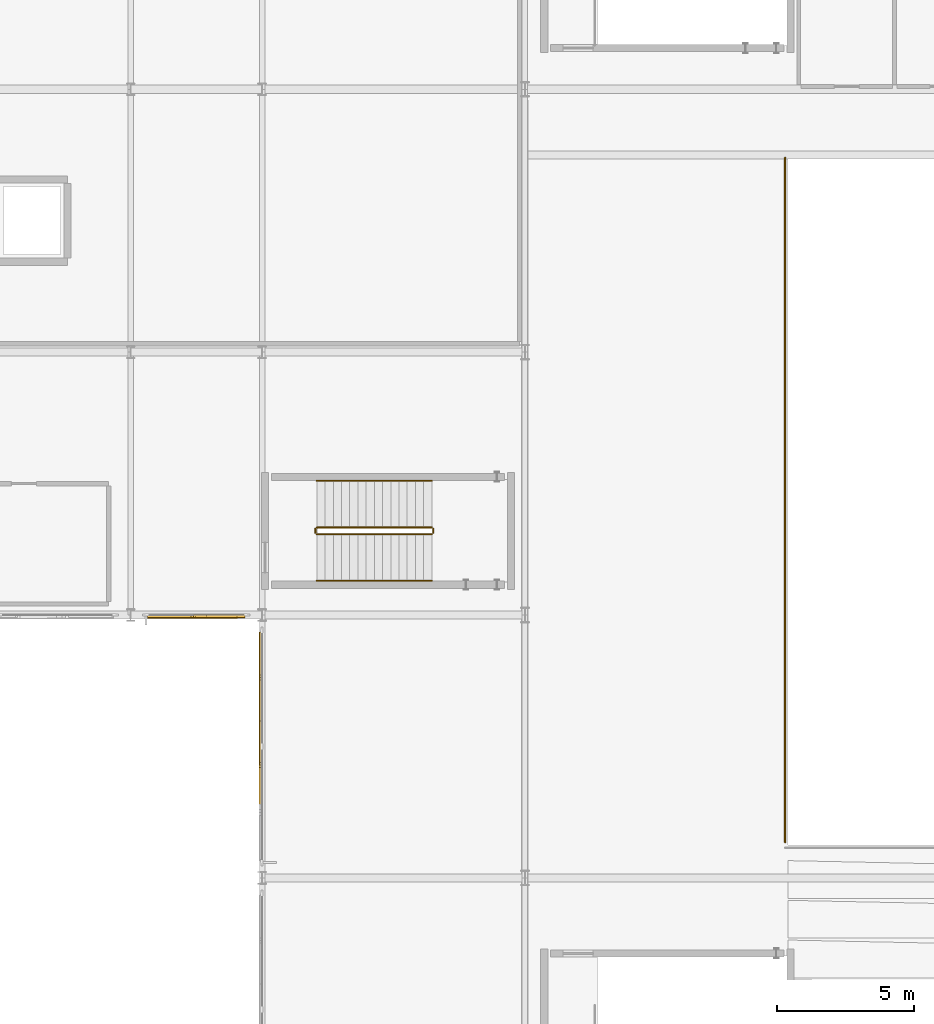
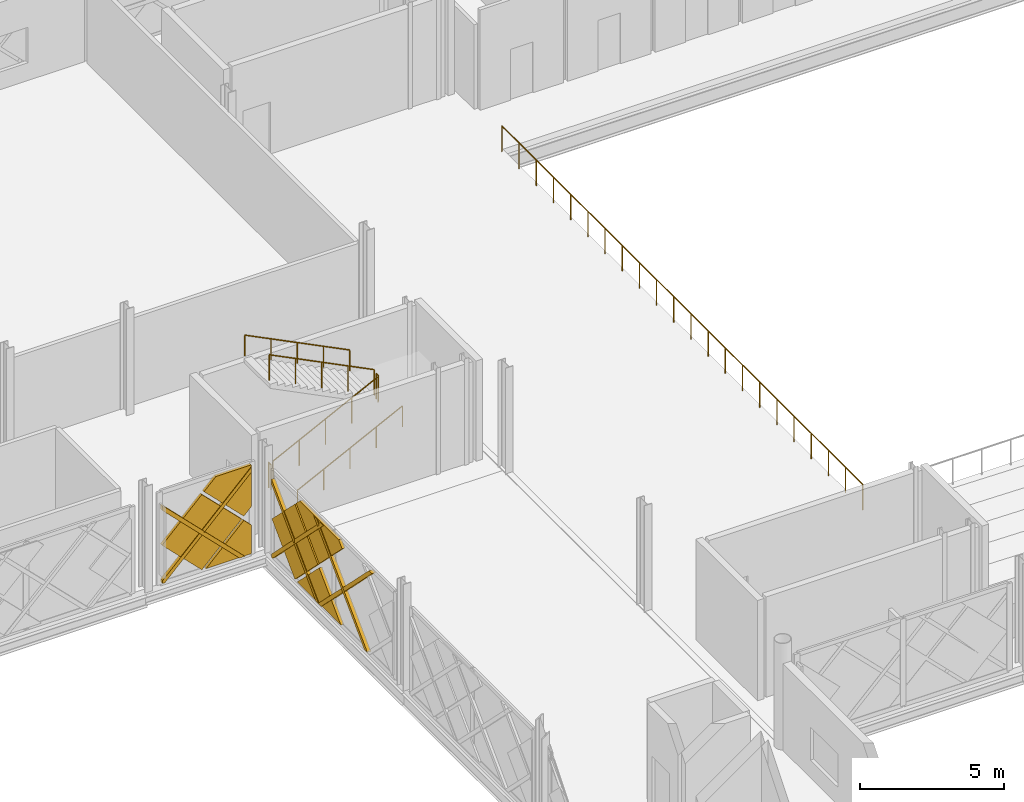
# One storey, part 92 of 101: 12 coverings, 7 railings.
"""IFC4 building model written with IfcOpenShell, lengths in metres."""

import ifcopenshell
import ifcopenshell.guid

model = None  # the IFC model being written
_history = None  # IfcOwnerHistory: only IFC2X3 demands one
_inside = {}  # id of a spatial element -> (the spatial element, [elements in it])
_under = {}  # id of a project, library or spatial element -> (it, [spatial elements below it])
_declared = {}  # id of a project -> (the project, [libraries it declares])
_typed = {}  # id of a type object -> (the type object, [elements of that type])
_made_of = {}  # id of a material, layer set ... -> (it, [elements and type objects made of it])


def new_model(schema):
    """Start an empty IFC model of exactly this schema.

    Asked for "IFC4X3", IfcOpenShell would pick the latest addendum, in which some entities
    have other attributes; the version numbers below select the first issue.
    IFC2X3 requires an IfcOwnerHistory on every rooted entity: one is made here for all.
    """
    global model, _history
    if schema == "IFC4X3":
        model = ifcopenshell.file(schema_version=(4, 3, 0, 0))
    else:
        model = ifcopenshell.file(schema=schema)
    _inside.clear()
    _under.clear()
    _declared.clear()
    _typed.clear()
    _made_of.clear()
    _history = None
    if model.schema == "IFC2X3":
        org = make("IfcOrganization", Name="unknown")
        user = make(
            "IfcPersonAndOrganization",
            ThePerson=make("IfcPerson", FamilyName="unknown"),
            TheOrganization=org,
        )
        app = make(
            "IfcApplication",
            ApplicationDeveloper=org,
            Version="unknown",
            ApplicationFullName="unknown",
            ApplicationIdentifier="unknown",
        )
        _history = make(
            "IfcOwnerHistory",
            OwningUser=user,
            OwningApplication=app,
            ChangeAction="ADDED",
            CreationDate=0,
        )
    return model


def make(cls, **values):
    """One entity of the class cls with the attributes given. An attribute that is None is left unset."""
    return model.create_entity(
        cls, **{name: value for name, value in values.items() if value is not None}
    )


def rooted(cls, **values):
    """An entity with a GlobalId (a new one), such as an element, a storey or a relation."""
    return make(cls, GlobalId=ifcopenshell.guid.new(), OwnerHistory=_history, **values)


def si_unit(unit_type, name, prefix=None):
    """IfcSIUnit, for example si_unit("LENGTHUNIT", "METRE", prefix="MILLI")."""
    return make("IfcSIUnit", UnitType=unit_type, Prefix=prefix, Name=name)


def assignment(units):
    """IfcUnitAssignment: the units of a project."""
    return None if units is None else make("IfcUnitAssignment", Units=units)


def point(xyz):
    """IfcCartesianPoint."""
    return None if xyz is None else make("IfcCartesianPoint", Coordinates=xyz)


def direction(xyz):
    """IfcDirection."""
    return None if xyz is None else make("IfcDirection", DirectionRatios=xyz)


def frame(location, z_axis=None, x_axis=None):
    """IfcAxis2Placement3D, a coordinate frame: its origin and axes. An axis left out is left unset."""
    return make(
        "IfcAxis2Placement3D",
        Location=point(location),
        Axis=direction(z_axis),
        RefDirection=direction(x_axis),
    )


def frame_2d(location, x_axis=None):
    """IfcAxis2Placement2D, a coordinate frame in the plane: its origin and x axis."""
    return make(
        "IfcAxis2Placement2D", Location=point(location), RefDirection=direction(x_axis)
    )


def origin():
    """The frame at (0, 0, 0) with its axes left unset."""
    return frame((0.0, 0.0, 0.0))


def origin_2d():
    """The frame at (0, 0) in the plane with its x axis left unset."""
    return frame_2d((0.0, 0.0))


def place(relative_to, where):
    """IfcLocalPlacement: puts the frame where relative to a parent placement (None: the world)."""
    return make(
        "IfcLocalPlacement", PlacementRelTo=relative_to, RelativePlacement=where
    )


def context(
    kind, dimensions, precision=None, world=None, true_north=None, identifier=None
):
    """IfcGeometricRepresentationContext, for example the 3D "Model" context."""
    return make(
        "IfcGeometricRepresentationContext",
        ContextIdentifier=identifier,
        ContextType=kind,
        CoordinateSpaceDimension=dimensions,
        Precision=precision,
        WorldCoordinateSystem=world,
        TrueNorth=true_north,
    )


def subcontext(parent, identifier, kind, view, scale=None):
    """IfcGeometricRepresentationSubContext, for example "Body" below "Model"."""
    return make(
        "IfcGeometricRepresentationSubContext",
        ContextIdentifier=identifier,
        ContextType=kind,
        ParentContext=parent,
        TargetScale=scale,
        TargetView=view,
    )


def project(units=None, contexts=None):
    """IfcProject with its units and contexts."""
    return rooted(
        "IfcProject",
        Name="project",
        RepresentationContexts=contexts,
        UnitsInContext=assignment(units),
    )


def spatial(cls, under=None, at=None, **own):
    """A site, building, storey or space (cls), placed at a placement, below another one or the project."""
    s = rooted(cls, ObjectPlacement=at, **own)
    if under is not None:
        _under.setdefault(under.id(), (under, []))[1].append(s)
    return s


def polyline(points):
    """IfcPolyline through the points."""
    return make("IfcPolyline", Points=[point(p) for p in points])


def profile(cls, at=None, kind="AREA", **sizes):
    """A parametric profile (cls). Its sizes go by their IFC names, for example OverallWidth=200.0."""
    return make(cls, ProfileType=kind, Position=at, **sizes)


def circle(**sizes):
    """IfcCircleProfileDef."""
    return profile("IfcCircleProfileDef", **sizes)


def outline(outer, holes=None, kind="AREA"):
    """IfcArbitraryClosedProfileDef: a profile drawn as a closed curve; with holes, ...WithVoids."""
    if holes is None:
        return make("IfcArbitraryClosedProfileDef", ProfileType=kind, OuterCurve=outer)
    return make(
        "IfcArbitraryProfileDefWithVoids",
        ProfileType=kind,
        OuterCurve=outer,
        InnerCurves=holes,
    )


def extrude(swept, where, along, depth):
    """IfcExtrudedAreaSolid: the profile swept, set in the frame where, extruded along a direction by depth."""
    return make(
        "IfcExtrudedAreaSolid",
        SweptArea=swept,
        Position=where,
        ExtrudedDirection=direction(along),
        Depth=depth,
    )


def shape(context_of_items, identifier, shape_type, items):
    """IfcShapeRepresentation: the items that make up one representation, for example the "Body"."""
    return make(
        "IfcShapeRepresentation",
        ContextOfItems=context_of_items,
        RepresentationIdentifier=identifier,
        RepresentationType=shape_type,
        Items=items,
    )


def material(Name=None, Category=None):
    """IfcMaterial."""
    return make("IfcMaterial", Name=Name, Category=Category)


def layer(
    of_material, thickness, ventilated=None, Name=None, Category=None, Priority=None
):
    """IfcMaterialLayer: one layer of a wall or slab, of a material (None: an air gap)."""
    return make(
        "IfcMaterialLayer",
        Material=of_material,
        LayerThickness=thickness,
        IsVentilated=ventilated,
        Name=Name,
        Category=Category,
        Priority=Priority,
    )


def layer_set(layers, Name=None):
    """IfcMaterialLayerSet."""
    return make("IfcMaterialLayerSet", MaterialLayers=layers, LayerSetName=Name)


def made_of(thing, what):
    """Note that an element or type object is made of a material, layer set ...; save() writes the relation."""
    if what is not None:
        _made_of.setdefault(what.id(), (what, []))[1].append(thing)
    return thing


def type_object(cls, material=None, **own):
    """A type object (cls), such as IfcWallType, which elements share."""
    return made_of(rooted(cls, **own), material)


def element(
    cls,
    number,
    at=None,
    inside=None,
    cuts=None,
    type_object=None,
    material=None,
    context=None,
    identifier="Body",
    shape_type=None,
    held_by="IfcProductDefinitionShape",
    body=None,
    shapes=None,
    **own,
):
    """One element of the class cls, such as IfcWall. Its Tag is "e" and its number.

    at: its placement. inside: the storey or other place that contains it. cuts: it is an
    opening in that element (IfcRelVoidsElement). A single representation is given by context,
    identifier, shape_type and body (its items); several are given by shapes. held_by: the class
    of the entity that holds the representations. save() writes the other relations.
    """
    e = rooted(cls, Tag="e%d" % number, ObjectPlacement=at, **own)
    if body is not None:
        shapes = [shape(context, identifier, shape_type, body)]
    if shapes is not None:
        e.Representation = make(held_by, Representations=shapes)
    if inside is not None:
        _inside.setdefault(inside.id(), (inside, []))[1].append(e)
    if cuts is not None:
        rooted(
            "IfcRelVoidsElement", RelatingBuildingElement=cuts, RelatedOpeningElement=e
        )
    if type_object is not None:
        _typed.setdefault(type_object.id(), (type_object, []))[1].append(e)
    return made_of(e, material)


def aggregate(whole, parts):
    """IfcRelAggregates: a whole, such as a stair, and the parts it consists of."""
    return rooted("IfcRelAggregates", RelatingObject=whole, RelatedObjects=parts)


def save(model, path):
    """Write the relations noted so far, then the file.

    IfcRelAggregates (storeys below a building ...), IfcRelContainedInSpatialStructure (elements
    in a storey), IfcRelDefinesByType, IfcRelAssociatesMaterial and IfcRelDeclares: one each for
    every whole, place, type object, material and project.
    """
    for whole, parts in _under.values():
        aggregate(whole, parts)
    for where, things in _inside.values():
        rooted(
            "IfcRelContainedInSpatialStructure",
            RelatedElements=things,
            RelatingStructure=where,
        )
    for kind, things in _typed.values():
        rooted("IfcRelDefinesByType", RelatedObjects=things, RelatingType=kind)
    for what, things in _made_of.values():
        rooted("IfcRelAssociatesMaterial", RelatedObjects=things, RelatingMaterial=what)
    for by, libraries in _declared.values():
        rooted("IfcRelDeclares", RelatingContext=by, RelatedDefinitions=libraries)
    model.write(path)


model = new_model("IFC4")

# Units and contexts
model_context = context("Model", 3, precision=1e-05, world=origin(), true_north=direction((0.0, 1.0)))
body_context = subcontext(model_context, "Body", "Model", "MODEL_VIEW")
ifc_project = project(units=[si_unit("LENGTHUNIT", "METRE"), si_unit("AREAUNIT", "SQUARE_METRE"), si_unit("VOLUMEUNIT", "CUBIC_METRE"), si_unit("PLANEANGLEUNIT", "RADIAN"), si_unit("MASSUNIT", "GRAM", prefix="KILO")], contexts=[model_context])

# Site, building, storey
site_placement = place(None, origin())
site = spatial("IfcSite", under=ifc_project, at=site_placement, CompositionType="ELEMENT")
building_placement = place(site_placement, origin())
building = spatial("IfcBuilding", under=site, at=building_placement, Name="Zevrakil Square Congress Hotel", CompositionType="ELEMENT")
storey_placement = place(building_placement, frame((0.0, 0.0, 5.39990234375)))
storey = spatial("IfcBuildingStorey", under=building, at=storey_placement, Name="L02", CompositionType="ELEMENT", Elevation=5.39990234375)

# Coverings
ifc_material_1 = material(Name="Architectural White Fibre-C GRC", Category="concrete")
ifc_layer_1 = layer(ifc_material_1, 0.06494140625)
ifc_layer_set_1 = layer_set([ifc_layer_1], Name="Architectural White Fibre-C GRC")
covering_type_1 = type_object("IfcCoveringType", Name="COV-DIA-WHITE", PredefinedType="CLADDING", material=ifc_layer_set_1)
covering_1_placement = place(storey_placement, frame((107.080078125, 83.906005859375, 1.590087890625), z_axis=(-2.4434209e-05, -0.9999997937, 0.00064187453), x_axis=(0.706818819201, -0.000471329148, -0.707394468929)))
element("IfcCovering", 1, at=covering_1_placement, inside=storey, type_object=covering_type_1, Name="L02 45-degree white GRC diamond facade cassette 1691", PredefinedType="CLADDING", context=body_context, shape_type="SweptSolid", body=[
    extrude(outline(polyline([(0.0, 0.0), (0.4241605917046896, 5.551115123125783e-17), (1.2800806117242027, -0.8552233182578379), (0.0008696969925980902, -2.1354763356009503), (0.0, 0.0)])), origin(), (0.0, 0.0, -1.0), 0.1201171875),
])
covering_2_placement = place(storey_placement, frame((105.39990234375, 83.906982421875, 3.27001953125), z_axis=(0.0, -0.999999812555, 0.000612282237), x_axis=(0.707161000838, -0.000432915721, -0.707052424844)))
element("IfcCovering", 2, at=covering_2_placement, inside=storey, type_object=covering_type_1, Name="L02 45-degree white GRC diamond facade cassette 1692", PredefinedType="CLADDING", context=body_context, shape_type="SweptSolid", body=[
    extrude(outline(polyline([(0.0, 0.0), (2.2485514454845923, 0.0), (2.248379222880032, -2.2487240657380214), (0.013983748838055643, -2.248379882955194), (-0.0001711092764935529, -2.234222853853795), (0.0, 0.0)])), origin(), (0.0, 0.0, -1.0), 0.1201171875),
])
covering_3_placement = place(storey_placement, frame((107.080078125, 83.906005859375, 1.77001953125), z_axis=(1.2528987e-05, -0.999999832412, 0.000578807958), x_axis=(-0.70710671449, 0.000400419741, 0.707106734509)))
element("IfcCovering", 3, at=covering_3_placement, inside=storey, type_object=covering_type_1, Name="L02 45-degree white GRC diamond facade cassette 1693", PredefinedType="CLADDING", context=body_context, shape_type="SweptSolid", body=[
    extrude(outline(polyline([(0.0, 0.0), (2.248724071046338, 0.0), (2.248724178316188, -0.6718895922684892), (1.2483131894326327, -1.6723007697200931), (0.00017273724071187324, -0.424160553590186), (0.0, 0.0)])), origin(), (0.0, 0.0, -1.0), 0.1201171875),
])
covering_4_placement = place(storey_placement, frame((107.906005859375, 80.1201171875, 1.590087890625), z_axis=(-0.999999790873, 0.0, 0.000646725815), x_axis=(-0.000457304257, -0.707106707249, -0.707106707249)))
element("IfcCovering", 4, at=covering_4_placement, inside=storey, type_object=covering_type_1, Name="L02 45-degree white GRC diamond facade cassette 1952", PredefinedType="CLADDING", context=body_context, shape_type="SweptSolid", body=[
    extrude(outline(polyline([(0.0, 0.0), (2.1354765131557993, 0.0), (0.00017308005963778683, -2.1353038796462007), (0.0, 0.0)])), origin(), (0.0, 0.0, -1.0), 0.1201171875),
])
covering_5_placement = place(storey_placement, frame((107.906982421875, 81.800048828125, 3.27001953125), z_axis=(-0.999999812555, 0.0, 0.000612282237), x_axis=(-0.000432915721, -0.707161000838, -0.707052424844)))
element("IfcCovering", 5, at=covering_5_placement, inside=storey, type_object=covering_type_1, Name="L02 45-degree white GRC diamond facade cassette 1953", PredefinedType="CLADDING", context=body_context, shape_type="SweptSolid", body=[
    extrude(outline(polyline([(0.0, 0.0), (2.2485514454845923, 0.0), (2.248379222880032, -2.2487240657380214), (0.013983748838055643, -2.248379882955194), (-0.0001711092764935529, -2.234222853853795), (0.0, 0.0)])), origin(), (0.0, 0.0, -1.0), 0.1201171875),
])
covering_6_placement = place(storey_placement, frame((107.906982421875, 78.530029296875, 3.360107421875), z_axis=(-0.999999751226, 0.0, 0.000705370528), x_axis=(-0.000498772329, 0.707106715979, -0.707106670484)))
element("IfcCovering", 6, at=covering_6_placement, inside=storey, type_object=covering_type_1, Name="L02 45-degree white GRC diamond facade cassette 1955", PredefinedType="CLADDING", context=body_context, shape_type="SweptSolid", body=[
    extrude(outline(polyline([(0.0, 0.0), (2.248724067657605, 0.0), (2.2485510194410367, -2.248551434150147), (1.9162314678735024, -2.2487241174090604), (-0.00017274454991009214, -0.33231955153568005), (0.0, 0.0)])), origin(), (0.0, 0.0, -1.0), 0.1201171875),
])
ifc_material_2 = material(Name="Anodised Champagne Aluminium", Category="aluminium")
ifc_layer_2 = layer(ifc_material_2, 0.0849609375)
ifc_layer_set_2 = layer_set([ifc_layer_2], Name="Anodised Champagne Aluminium")
covering_type_2 = type_object("IfcCoveringType", Name="COV-DIAGRID-45", PredefinedType="MOLDING", material=ifc_layer_set_2)
covering_7_placement = place(storey_placement, frame((103.906005859375, 83.8798828125, 0.080078125), z_axis=(-0.000647793829, -0.999998968386, 0.001282025862), x_axis=(-0.999999790182, 0.000647793296, -8.30489e-07)))
element("IfcCovering", 7, at=covering_7_placement, inside=storey, type_object=covering_type_2, Name="L02 45-degree aluminium diagrid rib 1694", PredefinedType="MOLDING", context=body_context, shape_type="SweptSolid", body=[
    extrude(outline(polyline([(0.0, 0.0), (0.08593748196872746, 0.0), (0.08593753529653067, -0.12622091239201236), (-3.4738777039251745, -3.6860352570282595), (-3.4738776858828624, -3.4738769152593267), (0.0, 0.0)])), origin(), (0.0, 0.0, -1.0), 0.14501953125),
])
covering_8_placement = place(storey_placement, frame((103.820068359375, 83.8818359375, 3.154052734375), z_axis=(0.000248952361, -0.999999562652, 0.00090150864), x_axis=(6.2049e-08, 0.000901508683, 0.999999593641)))
element("IfcCovering", 8, at=covering_8_placement, inside=storey, type_object=covering_type_2, Name="L02 45-degree aluminium diagrid rib 1695", PredefinedType="MOLDING", context=body_context, shape_type="SweptSolid", body=[
    extrude(outline(polyline([(0.0, 0.0), (0.21215833700749018, 0.0), (-3.0739749170969763, -3.2861331050685156), (-3.073974930276236, -3.073730767900576), (0.0, 0.0)])), origin(), (0.0, 0.0, -1.0), 0.14501953125),
])
covering_9_placement = place(storey_placement, frame((107.8798828125, 83.2939453125, 0.080078125), z_axis=(-0.999999418256, 0.000393414211, 0.001004346716), x_axis=(0.000393414013, 0.999999922613, -3.95124e-07)))
element("IfcCovering", 9, at=covering_9_placement, inside=storey, type_object=covering_type_2, Name="L02 45-degree aluminium diagrid rib 1956", PredefinedType="MOLDING", context=body_context, shape_type="SweptSolid", body=[
    extrude(outline(polyline([(0.0, 0.0), (0.08593749334952255, -4.549493369041652e-24), (0.08593753952499836, -0.12622088466663853), (-3.3027346438909144, -3.5151371526850963), (-3.515136971203655, -3.5151371526850963), (0.0, 0.0)])), origin(), (0.0, 0.0, -1.0), 0.14501953125),
])
covering_10_placement = place(storey_placement, frame((107.8798828125, 79.933837890625, 0.080078125), z_axis=(-0.999999804633, 0.0, 0.000625086695), x_axis=(0.0, 1.0, 0.0)))
element("IfcCovering", 10, at=covering_10_placement, inside=storey, type_object=covering_type_2, Name="L02 45-degree aluminium diagrid rib 1957", PredefinedType="MOLDING", context=body_context, shape_type="SweptSolid", body=[
    extrude(outline(polyline([(0.0, 0.0), (0.212158203125, 0.0), (-3.302734375, -3.5151374054908215), (-3.514892578125, -3.5151374054908215), (0.0, 0.0)])), origin(), (0.0, 0.0, -1.0), 0.14501953125),
])
covering_11_placement = place(storey_placement, frame((107.8818359375, 83.3798828125, 3.154052734375), z_axis=(-0.999999562491, -0.000249100386, 0.000901647097), x_axis=(0.00090164714, -6.2051e-08, 0.999999593516)))
element("IfcCovering", 11, at=covering_11_placement, inside=storey, type_object=covering_type_2, Name="L02 45-degree aluminium diagrid rib 1959", PredefinedType="MOLDING", context=body_context, shape_type="SweptSolid", body=[
    extrude(outline(polyline([(0.0, 0.0), (0.21215833701480946, 1.3234889800848443e-23), (-3.0739749169909265, -3.285888964564464), (-3.0739749301555475, -3.0737307680217794), (0.0, 0.0)])), origin(), (0.0, 0.0, -1.0), 0.14501953125),
])
covering_12_placement = place(storey_placement, frame((107.882080078125, 80.461181640625, 3.59521484375), z_axis=(-0.999999804633, 0.0, 0.000625086695), x_axis=(0.0, -1.0, 0.0)))
element("IfcCovering", 12, at=covering_12_placement, inside=storey, type_object=covering_type_2, Name="L02 45-degree aluminium diagrid rib 1960", PredefinedType="MOLDING", context=body_context, shape_type="SweptSolid", body=[
    extrude(outline(polyline([(0.0, 0.0), (0.21240234375, 0.0), (3.727294921875, -3.515137405490821), (3.51513671875, -3.515137405490821), (0.0, 0.0)])), origin(), (0.0, 0.0, -1.0), 0.14501953125),
])

# Railings
ifc_material_3 = material(Name="Steel S355", Category="steel")
railing_type_1 = type_object("IfcRailingType", Name="RLG-STAIR-GUARD-1100", PredefinedType="BALUSTRADE", material=ifc_material_3)
railing_1_placement = place(storey_placement, frame((110.0, 86.949951171875, 0.150146484375)))
element("IfcRailing", 13, at=railing_1_placement, inside=storey, type_object=railing_type_1, Name="L02 ST06 stair guard 1", PredefinedType="BALUSTRADE", context=body_context, shape_type="SweptSolid", body=[
    extrude(circle(Radius=0.02392578125, at=origin_2d()), frame((0.0, 0.0, 1.076171875), z_axis=(0.894437589381, 0.0, 0.447192798132), x_axis=(0.0, 1.0, 0.0)), (0.0, 0.0, 1.0), 4.695556640625),
    extrude(circle(Radius=0.02099609375, at=origin_2d()), origin(), (0.0, 0.0, 1.0), 1.052001953125),
    extrude(circle(Radius=0.02099609375, at=origin_2d()), frame((1.050048828125, 0.0, 0.52490234375)), (0.0, 0.0, 1.0), 1.052001953125),
    extrude(circle(Radius=0.02099609375, at=origin_2d()), frame((2.10009765625, 0.0, 1.0498046875)), (0.0, 0.0, 1.0), 1.052001953125),
    extrude(circle(Radius=0.02099609375, at=origin_2d()), frame((3.14990234375, 0.0, 1.574951171875)), (0.0, 0.0, 1.0), 1.052001953125),
    extrude(circle(Radius=0.02099609375, at=origin_2d()), frame((4.199951171875, 0.0, 2.099853515625)), (0.0, 0.0, 1.0), 1.052001953125),
])
railing_2_placement = place(storey_placement, frame((114.25, 87.0, 2.25)))
element("IfcRailing", 14, at=railing_2_placement, inside=storey, type_object=railing_type_1, Name="L02 ST06 stair guard 2", PredefinedType="BALUSTRADE", context=body_context, shape_type="SweptSolid", body=[
    extrude(circle(Radius=0.02392578125, at=origin_2d()), frame((0.0, 0.0, 1.076171875), z_axis=(0.0, 1.0, 0.0), x_axis=(-1.0, 0.0, 0.0)), (0.0, 0.0, 1.0), 0.14990234375),
    extrude(circle(Radius=0.02099609375, at=origin_2d()), origin(), (0.0, 0.0, 1.0), 1.052001953125),
    extrude(circle(Radius=0.02099609375, at=origin_2d()), frame((0.0, 0.14990234375, 0.0)), (0.0, 0.0, 1.0), 1.052001953125),
])
railing_3_placement = place(storey_placement, frame((114.199951171875, 87.199951171875, 2.400146484375)))
element("IfcRailing", 15, at=railing_3_placement, inside=storey, type_object=railing_type_1, Name="L02 ST06 stair guard 3", PredefinedType="BALUSTRADE", context=body_context, shape_type="SweptSolid", body=[
    extrude(circle(Radius=0.02392578125, at=origin_2d()), frame((0.0, 0.0, 1.076171875), z_axis=(-0.894437589381, 0.0, 0.447192798132), x_axis=(0.0, -1.0, 0.0)), (0.0, 0.0, 1.0), 4.695556640625),
    extrude(circle(Radius=0.02099609375, at=origin_2d()), origin(), (0.0, 0.0, 1.0), 1.052001953125),
    extrude(circle(Radius=0.02099609375, at=origin_2d()), frame((-1.050048828125, 0.0, 0.52490234375)), (0.0, 0.0, 1.0), 1.052001953125),
    extrude(circle(Radius=0.02099609375, at=origin_2d()), frame((-2.10009765625, 0.0, 1.0498046875)), (0.0, 0.0, 1.0), 1.052001953125),
    extrude(circle(Radius=0.02099609375, at=origin_2d()), frame((-3.14990234375, 0.0, 1.574951171875)), (0.0, 0.0, 1.0), 1.052001953125),
    extrude(circle(Radius=0.02099609375, at=origin_2d()), frame((-4.199951171875, 0.0, 2.099853515625)), (0.0, 0.0, 1.0), 1.052001953125),
])
railing_4_placement = place(storey_placement, frame((109.949951171875, 87.0, 0.0)))
element("IfcRailing", 16, at=railing_4_placement, inside=storey, type_object=railing_type_1, Name="L02 ST06 stair guard 4", PredefinedType="BALUSTRADE", context=body_context, shape_type="SweptSolid", body=[
    extrude(circle(Radius=0.02392578125, at=origin_2d()), frame((0.0, 0.0, 1.076171875), z_axis=(0.0, 1.0, 0.0), x_axis=(-1.0, 0.0, 0.0)), (0.0, 0.0, 1.0), 0.14990234375),
    extrude(circle(Radius=0.02099609375, at=origin_2d()), origin(), (0.0, 0.0, 1.0), 1.052001953125),
    extrude(circle(Radius=0.02099609375, at=origin_2d()), frame((0.0, 0.14990234375, 0.0)), (0.0, 0.0, 1.0), 1.052001953125),
])
ifc_material_4 = material(Name="Steel S355", Category="steel")
railing_type_2 = type_object("IfcRailingType", Name="RLG-STAIR-HAND-900", PredefinedType="HANDRAIL", material=ifc_material_4)
railing_5_placement = place(storey_placement, frame((110.0, 85.25, 0.150146484375)))
element("IfcRailing", 17, at=railing_5_placement, inside=storey, type_object=railing_type_2, Name="L02 ST06 stair handrail 1", PredefinedType="HANDRAIL", context=body_context, shape_type="SweptSolid", body=[
    extrude(circle(Radius=0.02392578125, at=origin_2d()), frame((0.0, 0.0, 0.8759765625), z_axis=(0.894437589381, 0.0, 0.447192798132), x_axis=(0.0, 1.0, 0.0)), (0.0, 0.0, 1.0), 4.695556640625),
    extrude(circle(Radius=0.02099609375, at=origin_2d()), origin(), (0.0, 0.0, 1.0), 0.851806640625),
    extrude(circle(Radius=0.02099609375, at=origin_2d()), frame((1.050048828125, 0.0, 0.52490234375)), (0.0, 0.0, 1.0), 0.851806640625),
    extrude(circle(Radius=0.02099609375, at=origin_2d()), frame((2.10009765625, 0.0, 1.0498046875)), (0.0, 0.0, 1.0), 0.851806640625),
    extrude(circle(Radius=0.02099609375, at=origin_2d()), frame((3.14990234375, 0.0, 1.574951171875)), (0.0, 0.0, 1.0), 0.851806640625),
    extrude(circle(Radius=0.02099609375, at=origin_2d()), frame((4.199951171875, 0.0, 2.099853515625)), (0.0, 0.0, 1.0), 0.851806640625),
])
railing_6_placement = place(storey_placement, frame((114.199951171875, 88.89990234375, 2.400146484375)))
element("IfcRailing", 18, at=railing_6_placement, inside=storey, type_object=railing_type_2, Name="L02 ST06 stair handrail 2", PredefinedType="HANDRAIL", context=body_context, shape_type="SweptSolid", body=[
    extrude(circle(Radius=0.02392578125, at=origin_2d()), frame((0.0, 0.0, 0.8759765625), z_axis=(-0.894437589381, 0.0, 0.447192798132), x_axis=(0.0, -1.0, 0.0)), (0.0, 0.0, 1.0), 4.695556640625),
    extrude(circle(Radius=0.02099609375, at=origin_2d()), origin(), (0.0, 0.0, 1.0), 0.851806640625),
    extrude(circle(Radius=0.02099609375, at=origin_2d()), frame((-1.050048828125, 0.0, 0.52490234375)), (0.0, 0.0, 1.0), 0.851806640625),
    extrude(circle(Radius=0.02099609375, at=origin_2d()), frame((-2.10009765625, 0.0, 1.0498046875)), (0.0, 0.0, 1.0), 0.851806640625),
    extrude(circle(Radius=0.02099609375, at=origin_2d()), frame((-3.14990234375, 0.0, 1.574951171875)), (0.0, 0.0, 1.0), 0.851806640625),
    extrude(circle(Radius=0.02099609375, at=origin_2d()), frame((-4.199951171875, 0.0, 2.099853515625)), (0.0, 0.0, 1.0), 0.851806640625),
])
ifc_material_5 = material(Name="Steel S355", Category="steel")
railing_type_3 = type_object("IfcRailingType", Name="RLG-TERR-1100", PredefinedType="BALUSTRADE", material=ifc_material_5)
railing_7_placement = place(storey_placement, frame((127.10009765625, 100.699951171875, 0.0)))
element("IfcRailing", 19, at=railing_7_placement, inside=storey, type_object=railing_type_3, Name="L02 terrace and void safety balustrade guard 42", PredefinedType="BALUSTRADE", context=body_context, shape_type="SweptSolid", body=[
    extrude(circle(Radius=0.02392578125, at=origin_2d()), frame((0.0, 0.0, 1.076171875), z_axis=(0.0, -1.0, 0.0), x_axis=(1.0, 0.0, 0.0)), (0.0, 0.0, 1.0), 25.0),
    extrude(circle(Radius=0.02099609375, at=origin_2d()), origin(), (0.0, 0.0, 1.0), 1.052001953125),
    extrude(circle(Radius=0.02099609375, at=origin_2d()), frame((0.0, -1.1904296875, 0.0)), (0.0, 0.0, 1.0), 1.052001953125),
    extrude(circle(Radius=0.02099609375, at=origin_2d()), frame((0.0, -2.380859375, 0.0)), (0.0, 0.0, 1.0), 1.052001953125),
    extrude(circle(Radius=0.02099609375, at=origin_2d()), frame((0.0, -3.571533203125, 0.0)), (0.0, 0.0, 1.0), 1.052001953125),
    extrude(circle(Radius=0.02099609375, at=origin_2d()), frame((0.0, -4.761962890625, 0.0)), (0.0, 0.0, 1.0), 1.052001953125),
    extrude(circle(Radius=0.02099609375, at=origin_2d()), frame((0.0, -5.952392578125, 0.0)), (0.0, 0.0, 1.0), 1.052001953125),
    extrude(circle(Radius=0.02099609375, at=origin_2d()), frame((0.0, -7.142822265625, 0.0)), (0.0, 0.0, 1.0), 1.052001953125),
    extrude(circle(Radius=0.02099609375, at=origin_2d()), frame((0.0, -8.333251953125, 0.0)), (0.0, 0.0, 1.0), 1.052001953125),
    extrude(circle(Radius=0.02099609375, at=origin_2d()), frame((0.0, -9.52392578125, 0.0)), (0.0, 0.0, 1.0), 1.052001953125),
    extrude(circle(Radius=0.02099609375, at=origin_2d()), frame((0.0, -10.71435546875, 0.0)), (0.0, 0.0, 1.0), 1.052001953125),
    extrude(circle(Radius=0.02099609375, at=origin_2d()), frame((0.0, -11.90478515625, 0.0)), (0.0, 0.0, 1.0), 1.052001953125),
    extrude(circle(Radius=0.02099609375, at=origin_2d()), frame((0.0, -13.09521484375, 0.0)), (0.0, 0.0, 1.0), 1.052001953125),
    extrude(circle(Radius=0.02099609375, at=origin_2d()), frame((0.0, -14.28564453125, 0.0)), (0.0, 0.0, 1.0), 1.052001953125),
    extrude(circle(Radius=0.02099609375, at=origin_2d()), frame((0.0, -15.47607421875, 0.0)), (0.0, 0.0, 1.0), 1.052001953125),
    extrude(circle(Radius=0.02099609375, at=origin_2d()), frame((0.0, -16.666748046875, 0.0)), (0.0, 0.0, 1.0), 1.052001953125),
    extrude(circle(Radius=0.02099609375, at=origin_2d()), frame((0.0, -17.857177734375, 0.0)), (0.0, 0.0, 1.0), 1.052001953125),
    extrude(circle(Radius=0.02099609375, at=origin_2d()), frame((0.0, -19.047607421875, 0.0)), (0.0, 0.0, 1.0), 1.052001953125),
    extrude(circle(Radius=0.02099609375, at=origin_2d()), frame((0.0, -20.238037109375, 0.0)), (0.0, 0.0, 1.0), 1.052001953125),
    extrude(circle(Radius=0.02099609375, at=origin_2d()), frame((0.0, -21.428466796875, 0.0)), (0.0, 0.0, 1.0), 1.052001953125),
    extrude(circle(Radius=0.02099609375, at=origin_2d()), frame((0.0, -22.619140625, 0.0)), (0.0, 0.0, 1.0), 1.052001953125),
    extrude(circle(Radius=0.02099609375, at=origin_2d()), frame((0.0, -23.8095703125, 0.0)), (0.0, 0.0, 1.0), 1.052001953125),
    extrude(circle(Radius=0.02099609375, at=origin_2d()), frame((0.0, -25.0, 0.0)), (0.0, 0.0, 1.0), 1.052001953125),
])

save(model, "model.ifc")
